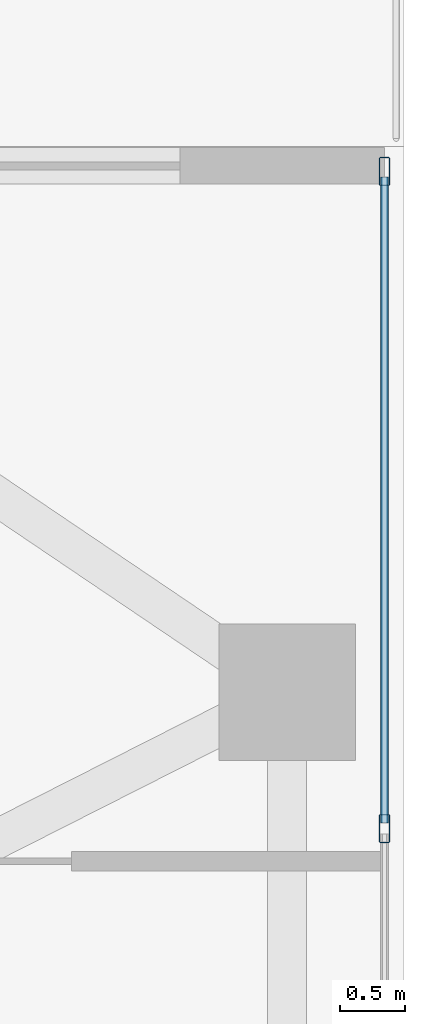
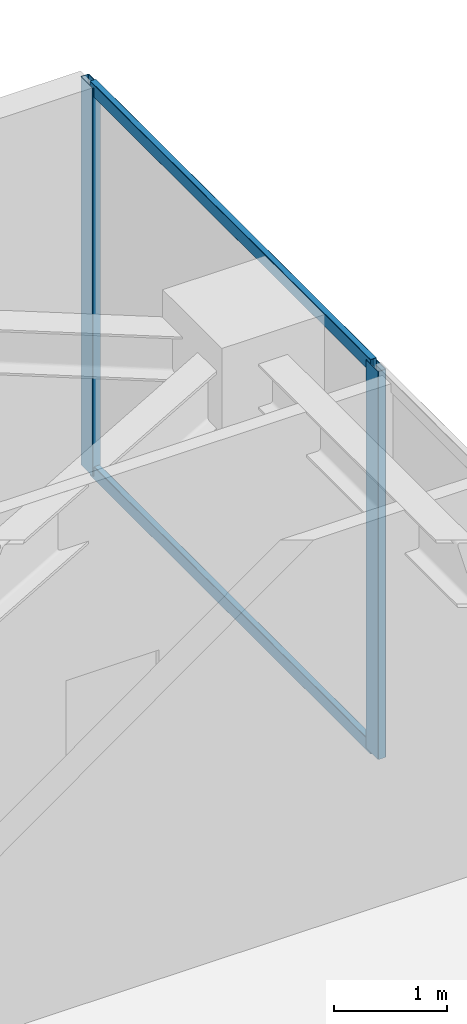
# One storey, part 25 of 38: 4 members, 1 element without a shape of its own.
"""IFC4 building model written with IfcOpenShell, lengths in metres."""

import ifcopenshell
import ifcopenshell.guid

model = None  # the IFC model being written
_history = None  # IfcOwnerHistory: only IFC2X3 demands one
_inside = {}  # id of a spatial element -> (the spatial element, [elements in it])
_under = {}  # id of a project, library or spatial element -> (it, [spatial elements below it])
_declared = {}  # id of a project -> (the project, [libraries it declares])
_typed = {}  # id of a type object -> (the type object, [elements of that type])
_made_of = {}  # id of a material, layer set ... -> (it, [elements and type objects made of it])


def new_model(schema):
    """Start an empty IFC model of exactly this schema.

    Asked for "IFC4X3", IfcOpenShell would pick the latest addendum, in which some entities
    have other attributes; the version numbers below select the first issue.
    IFC2X3 requires an IfcOwnerHistory on every rooted entity: one is made here for all.
    """
    global model, _history
    if schema == "IFC4X3":
        model = ifcopenshell.file(schema_version=(4, 3, 0, 0))
    else:
        model = ifcopenshell.file(schema=schema)
    _inside.clear()
    _under.clear()
    _declared.clear()
    _typed.clear()
    _made_of.clear()
    _history = None
    if model.schema == "IFC2X3":
        org = make("IfcOrganization", Name="unknown")
        user = make(
            "IfcPersonAndOrganization",
            ThePerson=make("IfcPerson", FamilyName="unknown"),
            TheOrganization=org,
        )
        app = make(
            "IfcApplication",
            ApplicationDeveloper=org,
            Version="unknown",
            ApplicationFullName="unknown",
            ApplicationIdentifier="unknown",
        )
        _history = make(
            "IfcOwnerHistory",
            OwningUser=user,
            OwningApplication=app,
            ChangeAction="ADDED",
            CreationDate=0,
        )
    return model


def make(cls, **values):
    """One entity of the class cls with the attributes given. An attribute that is None is left unset."""
    return model.create_entity(
        cls, **{name: value for name, value in values.items() if value is not None}
    )


def rooted(cls, **values):
    """An entity with a GlobalId (a new one), such as an element, a storey or a relation."""
    return make(cls, GlobalId=ifcopenshell.guid.new(), OwnerHistory=_history, **values)


def si_unit(unit_type, name, prefix=None):
    """IfcSIUnit, for example si_unit("LENGTHUNIT", "METRE", prefix="MILLI")."""
    return make("IfcSIUnit", UnitType=unit_type, Prefix=prefix, Name=name)


def assignment(units):
    """IfcUnitAssignment: the units of a project."""
    return None if units is None else make("IfcUnitAssignment", Units=units)


def point(xyz):
    """IfcCartesianPoint."""
    return None if xyz is None else make("IfcCartesianPoint", Coordinates=xyz)


def direction(xyz):
    """IfcDirection."""
    return None if xyz is None else make("IfcDirection", DirectionRatios=xyz)


def frame(location, z_axis=None, x_axis=None):
    """IfcAxis2Placement3D, a coordinate frame: its origin and axes. An axis left out is left unset."""
    return make(
        "IfcAxis2Placement3D",
        Location=point(location),
        Axis=direction(z_axis),
        RefDirection=direction(x_axis),
    )


def frame_2d(location, x_axis=None):
    """IfcAxis2Placement2D, a coordinate frame in the plane: its origin and x axis."""
    return make(
        "IfcAxis2Placement2D", Location=point(location), RefDirection=direction(x_axis)
    )


def origin():
    """The frame at (0, 0, 0) with its axes left unset."""
    return frame((0.0, 0.0, 0.0))


def origin_2d():
    """The frame at (0, 0) in the plane with its x axis left unset."""
    return frame_2d((0.0, 0.0))


def place(relative_to, where):
    """IfcLocalPlacement: puts the frame where relative to a parent placement (None: the world)."""
    return make(
        "IfcLocalPlacement", PlacementRelTo=relative_to, RelativePlacement=where
    )


def context(
    kind, dimensions, precision=None, world=None, true_north=None, identifier=None
):
    """IfcGeometricRepresentationContext, for example the 3D "Model" context."""
    return make(
        "IfcGeometricRepresentationContext",
        ContextIdentifier=identifier,
        ContextType=kind,
        CoordinateSpaceDimension=dimensions,
        Precision=precision,
        WorldCoordinateSystem=world,
        TrueNorth=true_north,
    )


def subcontext(parent, identifier, kind, view, scale=None):
    """IfcGeometricRepresentationSubContext, for example "Body" below "Model"."""
    return make(
        "IfcGeometricRepresentationSubContext",
        ContextIdentifier=identifier,
        ContextType=kind,
        ParentContext=parent,
        TargetScale=scale,
        TargetView=view,
    )


def project(units=None, contexts=None):
    """IfcProject with its units and contexts."""
    return rooted(
        "IfcProject",
        Name="project",
        RepresentationContexts=contexts,
        UnitsInContext=assignment(units),
    )


def spatial(cls, under=None, at=None, **own):
    """A site, building, storey or space (cls), placed at a placement, below another one or the project."""
    s = rooted(cls, ObjectPlacement=at, **own)
    if under is not None:
        _under.setdefault(under.id(), (under, []))[1].append(s)
    return s


def profile(cls, at=None, kind="AREA", **sizes):
    """A parametric profile (cls). Its sizes go by their IFC names, for example OverallWidth=200.0."""
    return make(cls, ProfileType=kind, Position=at, **sizes)


def hollow_rectangle(**sizes):
    """IfcRectangleHollowProfileDef."""
    return profile("IfcRectangleHollowProfileDef", **sizes)


def extrude(swept, where, along, depth):
    """IfcExtrudedAreaSolid: the profile swept, set in the frame where, extruded along a direction by depth."""
    return make(
        "IfcExtrudedAreaSolid",
        SweptArea=swept,
        Position=where,
        ExtrudedDirection=direction(along),
        Depth=depth,
    )


def shape(context_of_items, identifier, shape_type, items):
    """IfcShapeRepresentation: the items that make up one representation, for example the "Body"."""
    return make(
        "IfcShapeRepresentation",
        ContextOfItems=context_of_items,
        RepresentationIdentifier=identifier,
        RepresentationType=shape_type,
        Items=items,
    )


def material(Name=None, Category=None):
    """IfcMaterial."""
    return make("IfcMaterial", Name=Name, Category=Category)


def layer(
    of_material, thickness, ventilated=None, Name=None, Category=None, Priority=None
):
    """IfcMaterialLayer: one layer of a wall or slab, of a material (None: an air gap)."""
    return make(
        "IfcMaterialLayer",
        Material=of_material,
        LayerThickness=thickness,
        IsVentilated=ventilated,
        Name=Name,
        Category=Category,
        Priority=Priority,
    )


def layer_set(layers, Name=None):
    """IfcMaterialLayerSet."""
    return make("IfcMaterialLayerSet", MaterialLayers=layers, LayerSetName=Name)


def material_profile(
    of_material, cross_section, Name=None, Category=None, Priority=None
):
    """IfcMaterialProfile: a cross section and its material."""
    return make(
        "IfcMaterialProfile",
        Name=Name,
        Material=of_material,
        Profile=cross_section,
        Priority=Priority,
        Category=Category,
    )


def profile_set(profiles, Name=None, composite=None):
    """IfcMaterialProfileSet."""
    return make(
        "IfcMaterialProfileSet",
        Name=Name,
        MaterialProfiles=profiles,
        CompositeProfile=composite,
    )


def made_of(thing, what):
    """Note that an element or type object is made of a material, layer set ...; save() writes the relation."""
    if what is not None:
        _made_of.setdefault(what.id(), (what, []))[1].append(thing)
    return thing


def type_object(cls, material=None, **own):
    """A type object (cls), such as IfcWallType, which elements share."""
    return made_of(rooted(cls, **own), material)


def element(
    cls,
    number,
    at=None,
    inside=None,
    cuts=None,
    type_object=None,
    material=None,
    context=None,
    identifier="Body",
    shape_type=None,
    held_by="IfcProductDefinitionShape",
    body=None,
    shapes=None,
    **own,
):
    """One element of the class cls, such as IfcWall. Its Tag is "e" and its number.

    at: its placement. inside: the storey or other place that contains it. cuts: it is an
    opening in that element (IfcRelVoidsElement). A single representation is given by context,
    identifier, shape_type and body (its items); several are given by shapes. held_by: the class
    of the entity that holds the representations. save() writes the other relations.
    """
    e = rooted(cls, Tag="e%d" % number, ObjectPlacement=at, **own)
    if body is not None:
        shapes = [shape(context, identifier, shape_type, body)]
    if shapes is not None:
        e.Representation = make(held_by, Representations=shapes)
    if inside is not None:
        _inside.setdefault(inside.id(), (inside, []))[1].append(e)
    if cuts is not None:
        rooted(
            "IfcRelVoidsElement", RelatingBuildingElement=cuts, RelatedOpeningElement=e
        )
    if type_object is not None:
        _typed.setdefault(type_object.id(), (type_object, []))[1].append(e)
    return made_of(e, material)


def aggregate(whole, parts):
    """IfcRelAggregates: a whole, such as a stair, and the parts it consists of."""
    return rooted("IfcRelAggregates", RelatingObject=whole, RelatedObjects=parts)


def save(model, path):
    """Write the relations noted so far, then the file.

    IfcRelAggregates (storeys below a building ...), IfcRelContainedInSpatialStructure (elements
    in a storey), IfcRelDefinesByType, IfcRelAssociatesMaterial and IfcRelDeclares: one each for
    every whole, place, type object, material and project.
    """
    for whole, parts in _under.values():
        aggregate(whole, parts)
    for where, things in _inside.values():
        rooted(
            "IfcRelContainedInSpatialStructure",
            RelatedElements=things,
            RelatingStructure=where,
        )
    for kind, things in _typed.values():
        rooted("IfcRelDefinesByType", RelatedObjects=things, RelatingType=kind)
    for what, things in _made_of.values():
        rooted("IfcRelAssociatesMaterial", RelatedObjects=things, RelatingMaterial=what)
    for by, libraries in _declared.values():
        rooted("IfcRelDeclares", RelatingContext=by, RelatedDefinitions=libraries)
    model.write(path)


model = new_model("IFC4")

# Units and contexts
model_context = context("Model", 3, precision=1e-05, world=origin(), true_north=direction((0.0, 1.0)))
body_context = subcontext(model_context, "Body", "Model", "MODEL_VIEW")
ifc_project = project(units=[si_unit("LENGTHUNIT", "METRE"), si_unit("AREAUNIT", "SQUARE_METRE"), si_unit("VOLUMEUNIT", "CUBIC_METRE"), si_unit("PLANEANGLEUNIT", "RADIAN"), si_unit("MASSUNIT", "GRAM", prefix="KILO")], contexts=[model_context])

# Site, building, storey
site_placement = place(None, origin())
site = spatial("IfcSite", under=ifc_project, at=site_placement, CompositionType="ELEMENT")
building_placement = place(site_placement, origin())
building = spatial("IfcBuilding", under=site, at=building_placement, Name="Tarnavaz Court Tower", CompositionType="ELEMENT")
storey_placement = place(building_placement, frame((0.0, 0.0, 123.0)))
storey = spatial("IfcBuildingStorey", under=building, at=storey_placement, Name="L33", CompositionType="ELEMENT", Elevation=123.0)

# Curtain wall, members
ifc_material_1 = material(Name="Anodised Aluminium 6063-T6 and Solar Low-E Glazing", Category="aluminium")
ifc_layer = layer(ifc_material_1, 0.199951171875)
ifc_layer_set = layer_set([ifc_layer], Name="Anodised Aluminium 6063-T6 and Solar Low-E Glazing")
curtain_wall_type = type_object("IfcCurtainWallType", Name="CW-SYS-05", PredefinedType="NOTDEFINED", material=ifc_layer_set)
curtain_wall_placement = place(storey_placement, origin())
curtain_wall = element("IfcCurtainWall", 1, at=curtain_wall_placement, inside=storey, type_object=curtain_wall_type, Name="L33 Sky-Portal Curtain Wall 12", PredefinedType="NOTDEFINED")
ifc_material_2 = material(Name="Anodised Aluminium 6063-T6", Category="aluminium")
ifc_material_profile_1 = material_profile(ifc_material_2, hollow_rectangle(XDim=0.0849609375, YDim=0.219970703125, WallThickness=0.006103515625, InnerFilletRadius=0.006103515625, OuterFilletRadius=0.011962890625, at=origin_2d()), Name="ALU RHS 220X85X6")
ifc_profile_set_1 = profile_set([ifc_material_profile_1], Name="Anodised Aluminium 6063-T6")
member_type_1 = type_object("IfcMemberType", Name="CW-MUL-220", PredefinedType="MULLION", material=ifc_profile_set_1)
member_1_placement = place(storey_placement, frame((26.85009765625, 17.8076171875, 0.0), z_axis=(0.0, 0.0, 1.0), x_axis=(1.0, 0.0, 0.0)))
member_1 = element("IfcMember", 2, at=member_1_placement, type_object=member_type_1, Name="CW mullion 1", PredefinedType="MULLION", context=body_context, shape_type="SweptSolid", body=[
    extrude(hollow_rectangle(XDim=0.0849609375, YDim=0.219970703125, WallThickness=0.006103515625, InnerFilletRadius=0.006103515625, OuterFilletRadius=0.011962890625, at=origin_2d()), origin(), (0.0, 0.0, 1.0), 4.199951171875),
])
member_2_placement = place(storey_placement, frame((26.85009765625, 12.75, 0.0), z_axis=(0.0, 0.0, 1.0), x_axis=(1.0, 0.0, 0.0)))
member_2 = element("IfcMember", 3, at=member_2_placement, type_object=member_type_1, Name="CW mullion 2", PredefinedType="MULLION", context=body_context, shape_type="SweptSolid", body=[
    extrude(hollow_rectangle(XDim=0.0849609375, YDim=0.219970703125, WallThickness=0.006103515625, InnerFilletRadius=0.006103515625, OuterFilletRadius=0.011962890625, at=origin_2d()), origin(), (0.0, 0.0, 1.0), 4.199951171875),
])
ifc_material_profile_2 = material_profile(ifc_material_2, hollow_rectangle(XDim=0.06494140625, YDim=0.139892578125, WallThickness=0.00390625, InnerFilletRadius=0.00390625, OuterFilletRadius=0.008056640625, at=origin_2d()), Name="ALU RHS 140X65X4")
ifc_profile_set_2 = profile_set([ifc_material_profile_2], Name="Anodised Aluminium 6063-T6")
member_type_2 = type_object("IfcMemberType", Name="CW-TRN-140", PredefinedType="USERDEFINED", material=ifc_profile_set_2)
member_3_placement = place(storey_placement, frame((26.85009765625, 17.764892578125, 0.032470703125), z_axis=(0.0, -1.0, 0.0), x_axis=(1.0, 0.0, 0.0)))
member_3 = element("IfcMember", 4, at=member_3_placement, type_object=member_type_2, Name="CW transom 1.1", ObjectType="TRANSOM", PredefinedType="USERDEFINED", context=body_context, shape_type="SweptSolid", body=[
    extrude(hollow_rectangle(XDim=0.06494140625, YDim=0.139892578125, WallThickness=0.00390625, InnerFilletRadius=0.00390625, OuterFilletRadius=0.008056640625, at=origin_2d()), origin(), (0.0, 0.0, 1.0), 4.972412109375),
])
member_4_placement = place(storey_placement, frame((26.85009765625, 17.764892578125, 4.16748046875), z_axis=(0.0, -1.0, 0.0), x_axis=(1.0, 0.0, 0.0)))
member_4 = element("IfcMember", 5, at=member_4_placement, type_object=member_type_2, Name="CW transom 1.2", ObjectType="TRANSOM", PredefinedType="USERDEFINED", context=body_context, shape_type="SweptSolid", body=[
    extrude(hollow_rectangle(XDim=0.06494140625, YDim=0.139892578125, WallThickness=0.00390625, InnerFilletRadius=0.00390625, OuterFilletRadius=0.008056640625, at=origin_2d()), origin(), (0.0, 0.0, 1.0), 4.972412109375),
])
aggregate(curtain_wall, [member_1, member_2, member_3, member_4])

save(model, "model.ifc")
